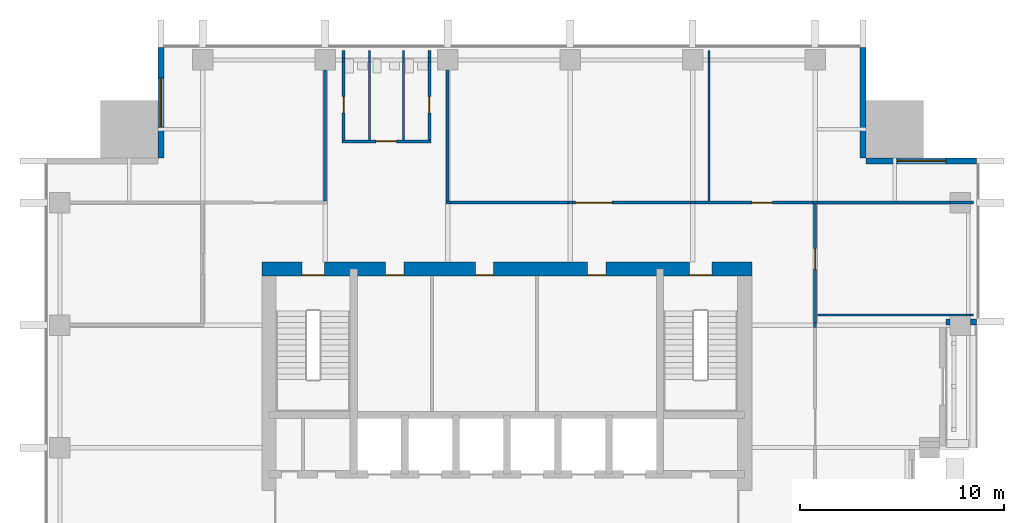
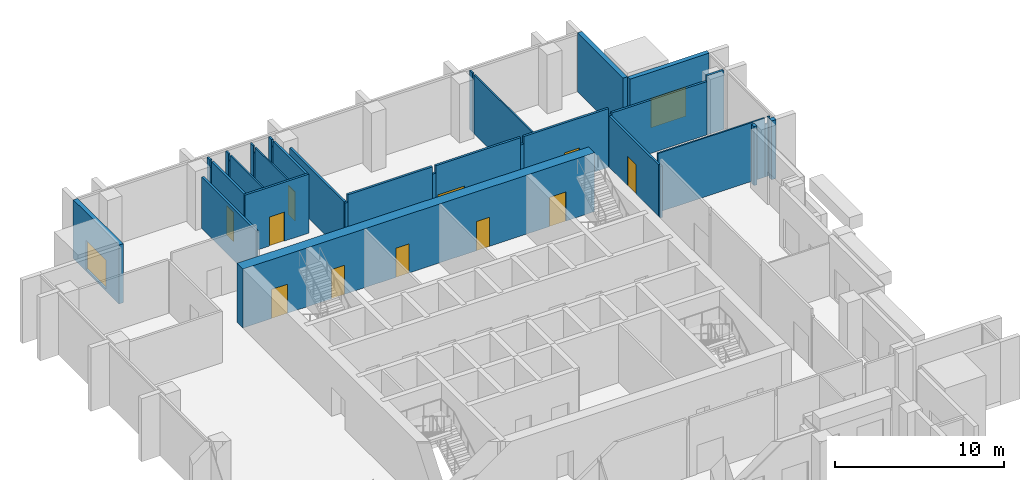
# One storey, part 7 of 11: 38 walls, 11 doors, 2 windows, 13 openings.
"""IFC4 building model written with IfcOpenShell, lengths in metres."""

from ifc_helpers import new_model, si_unit, direction, frame, frame_2d, origin, place, context, subcontext, project, spatial, rectangle, extrude, material, layer, layer_set, type_object, element, fill, save


model = new_model("IFC4")

# Units and contexts
model_context = context("Model", 3, precision=1e-05, world=origin(), true_north=direction((0.0, 1.0)))
body_context = subcontext(model_context, "Body", "Model", "MODEL_VIEW")
ifc_project = project(units=[si_unit("LENGTHUNIT", "METRE"), si_unit("AREAUNIT", "SQUARE_METRE"), si_unit("VOLUMEUNIT", "CUBIC_METRE"), si_unit("PLANEANGLEUNIT", "RADIAN"), si_unit("MASSUNIT", "GRAM", prefix="KILO")], contexts=[model_context])

# Site, building, storey
site_placement = place(None, origin())
site = spatial("IfcSite", under=ifc_project, at=site_placement, CompositionType="ELEMENT")
building_placement = place(site_placement, origin())
building = spatial("IfcBuilding", under=site, at=building_placement, Name="Amberfall Residences", CompositionType="ELEMENT")
storey_placement = place(building_placement, frame((0.0, 0.0, 150.39990234375)))
storey = spatial("IfcBuildingStorey", under=building, at=storey_placement, Name="L40", CompositionType="ELEMENT", Elevation=150.39990234375)

# Walls
ifc_material_1 = material(Name="Pale stone cladding on insulated backing", Category="masonry")
ifc_layer_1 = layer(ifc_material_1, 0.300048828125)
ifc_layer_set_1 = layer_set([ifc_layer_1], Name="Bronze clad wall 300")
wall_type_1 = type_object("IfcWallType", Name="Bronze clad wall 300", PredefinedType="SOLIDWALL", material=ifc_layer_set_1)
wall_1_placement = place(storey_placement, frame((96.0, 54.550048828125, 0.0), z_axis=(0.0, 0.0, 1.0), x_axis=(1.0, 0.0, 0.0)))
element("IfcWall", 1, at=wall_1_placement, inside=storey, type_object=wall_type_1, Name="External wall L40 E", PredefinedType="SOLIDWALL", context=body_context, shape_type="SweptSolid", body=[
    extrude(rectangle(XDim=0.199951171875, YDim=0.300048828125, at=frame_2d((0.10009765625, 0.0))), origin(), (0.0, 0.0, 1.0), 4.25),
])
wall_2_placement = place(storey_placement, frame((97.199951171875, 54.550048828125, 0.0), z_axis=(0.0, 0.0, 1.0), x_axis=(1.0, 0.0, 0.0)))
element("IfcWall", 2, at=wall_2_placement, inside=storey, type_object=wall_type_1, Name="External wall L40 E", PredefinedType="SOLIDWALL", context=body_context, shape_type="SweptSolid", body=[
    extrude(rectangle(XDim=0.300048828125, YDim=0.300048828125, at=frame_2d((0.14990234375, 0.0))), origin(), (0.0, 0.0, 1.0), 4.25),
])

# Wall, opening, window
wall_3_placement = place(storey_placement, frame((97.5, 62.449951171875, 0.0), z_axis=(0.0, 0.0, 1.0), x_axis=(-1.0, 0.0, 0.0)))
wall_3 = element("IfcWall", 3, at=wall_3_placement, inside=storey, type_object=wall_type_1, Name="External wall L40 NE", PredefinedType="SOLIDWALL", context=body_context, shape_type="SweptSolid", body=[
    extrude(rectangle(XDim=5.39990234375, YDim=0.300048828125, at=frame_2d((2.699951171875, 0.0))), origin(), (0.0, 0.0, 1.0), 4.25),
])
opening_1_placement = place(wall_3_placement, frame((1.5, 0.0, 0.14990234375)))
opening_1 = element("IfcOpeningElement", 4, at=opening_1_placement, cuts=wall_3, Name="Opening WN5", PredefinedType="OPENING", context=body_context, shape_type="SweptSolid", body=[
    extrude(rectangle(XDim=2.39990234375, YDim=2.10009765625, at=frame_2d((1.199951171875, 1.050048828125))), frame((0.0, 0.159912109375, 0.0), z_axis=(0.0, -1.0, 0.0), x_axis=(1.0, 0.0, 0.0)), (0.0, 0.0, 1.0), 0.320068359375),
])
ifc_material_2 = material(Name="Bronze aluminium framed glazing", Category="aluminium")
window_type = type_object("IfcWindowType", Name="Glazed opening 2400 x 2100 bronze", PartitioningType="DOUBLE_PANEL_VERTICAL", PredefinedType="WINDOW", material=ifc_material_2)
window_1_placement = place(opening_1_placement, origin())
window_1 = element("IfcWindow", 5, at=window_1_placement, inside=storey, type_object=window_type, Name="Window L40 NE", OverallHeight=2.10009765625, OverallWidth=2.39990234375, PartitioningType="DOUBLE_PANEL_VERTICAL", PredefinedType="WINDOW", context=body_context, shape_type="SweptSolid", body=[
    extrude(rectangle(XDim=2.39990234375, YDim=2.10009765625, at=frame_2d((1.199951171875, 1.050048828125))), frame((0.0, 0.030029296875, 0.0), z_axis=(0.0, -1.0, 0.0), x_axis=(1.0, 0.0, 0.0)), (0.0, 0.0, 1.0), 0.06005859375),
])
fill(opening_1, window_1)

# Wall
wall_4_placement = place(storey_placement, frame((91.949951171875, 62.60009765625, 0.0), z_axis=(0.0, 0.0, 1.0), x_axis=(0.0, 1.0, 0.0)))
element("IfcWall", 6, at=wall_4_placement, inside=storey, type_object=wall_type_1, Name="External wall L40 NE", PredefinedType="SOLIDWALL", context=body_context, shape_type="SweptSolid", body=[
    extrude(rectangle(XDim=5.39990234375, YDim=0.300048828125, at=frame_2d((2.699951171875, 0.0))), origin(), (0.0, 0.0, 1.0), 4.25),
])

# Wall, opening, window
wall_5_placement = place(storey_placement, frame((57.550048828125, 68.0, 0.0), z_axis=(0.0, 0.0, 1.0), x_axis=(0.0, -1.0, 0.0)))
wall_5 = element("IfcWall", 7, at=wall_5_placement, inside=storey, type_object=wall_type_1, Name="External wall L40 NW", PredefinedType="SOLIDWALL", context=body_context, shape_type="SweptSolid", body=[
    extrude(rectangle(XDim=5.39990234375, YDim=0.300048828125, at=frame_2d((2.699951171875, 0.0))), origin(), (0.0, 0.0, 1.0), 4.25),
])
opening_2_placement = place(wall_5_placement, frame((1.5, 0.0, 0.14990234375)))
opening_2 = element("IfcOpeningElement", 8, at=opening_2_placement, cuts=wall_5, Name="Opening WN5", PredefinedType="OPENING", context=body_context, shape_type="SweptSolid", body=[
    extrude(rectangle(XDim=2.39990234375, YDim=2.10009765625, at=frame_2d((1.199951171875, 1.050048828125))), frame((0.0, 0.159912109375, 0.0), z_axis=(0.0, -1.0, 0.0), x_axis=(1.0, 0.0, 0.0)), (0.0, 0.0, 1.0), 0.320068359375),
])
window_2_placement = place(opening_2_placement, origin())
window_2 = element("IfcWindow", 9, at=window_2_placement, inside=storey, type_object=window_type, Name="Window L40 NW", OverallHeight=2.10009765625, OverallWidth=2.39990234375, PartitioningType="DOUBLE_PANEL_VERTICAL", PredefinedType="WINDOW", context=body_context, shape_type="SweptSolid", body=[
    extrude(rectangle(XDim=2.39990234375, YDim=2.10009765625, at=frame_2d((1.199951171875, 1.050048828125))), frame((0.0, 0.030029296875, 0.0), z_axis=(0.0, -1.0, 0.0), x_axis=(1.0, 0.0, 0.0)), (0.0, 0.0, 1.0), 0.06005859375),
])
fill(opening_2, window_2)

# Wall, openings, doors
ifc_material_3 = material(Name="Concrete C60", Category="concrete")
ifc_layer_2 = layer(ifc_material_3, 0.699951171875)
ifc_layer_set_2 = layer_set([ifc_layer_2], Name="Core wall 700 C60")
wall_type_2 = type_object("IfcWallType", Name="Core wall 700 C60", PredefinedType="SHEAR", material=ifc_layer_set_2)
wall_6_placement = place(storey_placement, frame((62.5, 57.14990234375, 0.0), z_axis=(0.0, 0.0, 1.0), x_axis=(1.0, 0.0, 0.0)))
wall_6 = element("IfcWall", 10, at=wall_6_placement, inside=storey, type_object=wall_type_2, Name="Core wall RW5 L40 ON", PredefinedType="SHEAR", context=body_context, shape_type="SweptSolid", body=[
    extrude(rectangle(XDim=24.0, YDim=0.699951171875, at=frame_2d((12.0, 0.0))), origin(), (0.0, 0.0, 1.0), 4.25),
])
opening_3_placement = place(wall_6_placement, frame((20.9375, 0.0, 0.0)))
opening_3 = element("IfcOpeningElement", 11, at=opening_3_placement, cuts=wall_6, Name="Opening SD1", PredefinedType="OPENING", context=body_context, shape_type="SweptSolid", body=[
    extrude(rectangle(XDim=1.10009765625, YDim=2.10009765625, at=frame_2d((0.550048828125, 1.050048828125))), frame((0.0, 0.35986328125, 0.0), z_axis=(0.0, -1.0, 0.0), x_axis=(1.0, 0.0, 0.0)), (0.0, 0.0, 1.0), 0.719970703125),
])
opening_4_placement = place(wall_6_placement, frame((1.96240234375, 0.0, 0.0)))
opening_4 = element("IfcOpeningElement", 12, at=opening_4_placement, cuts=wall_6, Name="Opening SD1", PredefinedType="OPENING", context=body_context, shape_type="SweptSolid", body=[
    extrude(rectangle(XDim=1.10009765625, YDim=2.10009765625, at=frame_2d((0.550048828125, 1.050048828125))), frame((0.0, 0.35986328125, 0.0), z_axis=(0.0, -1.0, 0.0), x_axis=(1.0, 0.0, 0.0)), (0.0, 0.0, 1.0), 0.719970703125),
])
opening_5_placement = place(wall_6_placement, frame((6.05615234375, 0.0, 0.0)))
opening_5 = element("IfcOpeningElement", 13, at=opening_5_placement, cuts=wall_6, Name="Opening RD1", PredefinedType="OPENING", context=body_context, shape_type="SweptSolid", body=[
    extrude(rectangle(XDim=0.89990234375, YDim=2.10009765625, at=frame_2d((0.449951171875, 1.050048828125))), frame((0.0, 0.35986328125, 0.0), z_axis=(0.0, -1.0, 0.0), x_axis=(1.0, 0.0, 0.0)), (0.0, 0.0, 1.0), 0.719970703125),
])
opening_6_placement = place(wall_6_placement, frame((10.451416015625, 0.0, 0.0)))
opening_6 = element("IfcOpeningElement", 14, at=opening_6_placement, cuts=wall_6, Name="Opening RD1", PredefinedType="OPENING", context=body_context, shape_type="SweptSolid", body=[
    extrude(rectangle(XDim=0.89990234375, YDim=2.10009765625, at=frame_2d((0.449951171875, 1.050048828125))), frame((0.0, 0.35986328125, 0.0), z_axis=(0.0, -1.0, 0.0), x_axis=(1.0, 0.0, 0.0)), (0.0, 0.0, 1.0), 0.719970703125),
])
opening_7_placement = place(wall_6_placement, frame((15.945068359375, 0.0, 0.0)))
opening_7 = element("IfcOpeningElement", 15, at=opening_7_placement, cuts=wall_6, Name="Opening RD1", PredefinedType="OPENING", context=body_context, shape_type="SweptSolid", body=[
    extrude(rectangle(XDim=0.89990234375, YDim=2.10009765625, at=frame_2d((0.449951171875, 1.050048828125))), frame((0.0, 0.35986328125, 0.0), z_axis=(0.0, -1.0, 0.0), x_axis=(1.0, 0.0, 0.0)), (0.0, 0.0, 1.0), 0.719970703125),
])
ifc_material_4 = material(Name="Steel fire door set", Category="steel")
door_type_1 = type_object("IfcDoorType", Name="Service room door 900 x 2100", OperationType="SINGLE_SWING_LEFT", PredefinedType="DOOR", material=ifc_material_4)
door_1_placement = place(opening_5_placement, origin())
door_1 = element("IfcDoor", 16, at=door_1_placement, inside=storey, type_object=door_type_1, Name="RD1 L40", OperationType="SINGLE_SWING_RIGHT", OverallHeight=2.10009765625, OverallWidth=0.89990234375, PredefinedType="DOOR", context=body_context, shape_type="SweptSolid", body=[
    extrude(rectangle(XDim=0.89990234375, YDim=2.10009765625, at=frame_2d((0.449951171875, 1.050048828125))), frame((0.0, -0.28759765625, 0.0), z_axis=(0.0, -1.0, 0.0), x_axis=(1.0, 0.0, 0.0)), (0.0, 0.0, 1.0), 0.050048828125),
])
fill(opening_5, door_1)
door_2_placement = place(opening_6_placement, origin())
door_2 = element("IfcDoor", 17, at=door_2_placement, inside=storey, type_object=door_type_1, Name="RD1 L40", OperationType="SINGLE_SWING_RIGHT", OverallHeight=2.10009765625, OverallWidth=0.89990234375, PredefinedType="DOOR", context=body_context, shape_type="SweptSolid", body=[
    extrude(rectangle(XDim=0.89990234375, YDim=2.10009765625, at=frame_2d((0.449951171875, 1.050048828125))), frame((0.0, -0.28759765625, 0.0), z_axis=(0.0, -1.0, 0.0), x_axis=(1.0, 0.0, 0.0)), (0.0, 0.0, 1.0), 0.050048828125),
])
fill(opening_6, door_2)
door_3_placement = place(opening_7_placement, origin())
door_3 = element("IfcDoor", 18, at=door_3_placement, inside=storey, type_object=door_type_1, Name="RD1 L40", OperationType="SINGLE_SWING_RIGHT", OverallHeight=2.10009765625, OverallWidth=0.89990234375, PredefinedType="DOOR", context=body_context, shape_type="SweptSolid", body=[
    extrude(rectangle(XDim=0.89990234375, YDim=2.10009765625, at=frame_2d((0.449951171875, 1.050048828125))), frame((0.0, -0.28759765625, 0.0), z_axis=(0.0, -1.0, 0.0), x_axis=(1.0, 0.0, 0.0)), (0.0, 0.0, 1.0), 0.050048828125),
])
fill(opening_7, door_3)
door_type_2 = type_object("IfcDoorType", Name="Stair door 1100 x 2100", OperationType="SINGLE_SWING_LEFT", PredefinedType="DOOR", material=ifc_material_4)
door_4_placement = place(opening_3_placement, origin())
door_4 = element("IfcDoor", 19, at=door_4_placement, inside=storey, type_object=door_type_2, Name="SD1 L40", OperationType="SINGLE_SWING_RIGHT", OverallHeight=2.10009765625, OverallWidth=1.10009765625, PredefinedType="DOOR", context=body_context, shape_type="SweptSolid", body=[
    extrude(rectangle(XDim=1.10009765625, YDim=2.10009765625, at=frame_2d((0.550048828125, 1.050048828125))), frame((0.0, -0.28759765625, 0.0), z_axis=(0.0, -1.0, 0.0), x_axis=(1.0, 0.0, 0.0)), (0.0, 0.0, 1.0), 0.050048828125),
])
fill(opening_3, door_4)
door_5_placement = place(opening_4_placement, origin())
door_5 = element("IfcDoor", 20, at=door_5_placement, inside=storey, type_object=door_type_2, Name="SD1 L40", OperationType="SINGLE_SWING_LEFT", OverallHeight=2.10009765625, OverallWidth=1.10009765625, PredefinedType="DOOR", context=body_context, shape_type="SweptSolid", body=[
    extrude(rectangle(XDim=1.10009765625, YDim=2.10009765625, at=frame_2d((0.550048828125, 1.050048828125))), frame((0.0, -0.28759765625, 0.0), z_axis=(0.0, -1.0, 0.0), x_axis=(1.0, 0.0, 0.0)), (0.0, 0.0, 1.0), 0.050048828125),
])
fill(opening_4, door_5)

# Walls
ifc_material_5 = material(Name="Gypsum board on steel studs", Category="steel")
ifc_layer_3 = layer(ifc_material_5, 0.10009765625)
ifc_layer_set_3 = layer_set([ifc_layer_3], Name="Partition 100")
wall_type_3 = type_object("IfcWallType", Name="Partition 100", PredefinedType="PARTITIONING", material=ifc_layer_set_3)
wall_7_placement = place(storey_placement, frame((89.705322265625, 54.89990234375, 0.0), z_axis=(0.0, 0.0, 1.0), x_axis=(1.0, 0.0, 0.0)))
element("IfcWall", 21, at=wall_7_placement, inside=storey, type_object=wall_type_3, Name="Partition 100 L40 002", PredefinedType="PARTITIONING", context=body_context, shape_type="SweptSolid", body=[
    extrude(rectangle(XDim=7.299560546875, YDim=0.10009765625, at=frame_2d((3.64990234375, 0.0))), origin(), (0.0, 0.0, 1.0), 4.25),
])
wall_8_placement = place(storey_placement, frame((97.0048828125, 54.89990234375, 0.0), z_axis=(0.0, 0.0, 1.0), x_axis=(1.0, 0.0, 0.0)))
element("IfcWall", 22, at=wall_8_placement, inside=storey, type_object=wall_type_3, Name="Partition 100 L40 003", PredefinedType="PARTITIONING", context=body_context, shape_type="SweptSolid", body=[
    extrude(rectangle(XDim=0.18994140625, YDim=0.10009765625, at=frame_2d((0.094970703125, 0.0))), origin(), (0.0, 0.0, 1.0), 3.797119140625),
])
wall_9_placement = place(storey_placement, frame((97.19482421875, 54.89990234375, 0.0), z_axis=(0.0, 0.0, 1.0), x_axis=(1.0, 0.0, 0.0)))
element("IfcWall", 23, at=wall_9_placement, inside=storey, type_object=wall_type_3, Name="Partition 100 L40 004", PredefinedType="PARTITIONING", context=body_context, shape_type="SweptSolid", body=[
    extrude(rectangle(XDim=0.1552734375, YDim=0.10009765625, at=frame_2d((0.07763671875, 0.0))), origin(), (0.0, 0.0, 1.0), 4.25),
])
wall_10_placement = place(storey_placement, frame((67.760009765625, 63.47509765625, 0.0), z_axis=(0.0, 0.0, 1.0), x_axis=(0.0, 1.0, 0.0)))
element("IfcWall", 24, at=wall_10_placement, inside=storey, type_object=wall_type_3, Name="Partition 100 L40 005", PredefinedType="PARTITIONING", context=body_context, shape_type="SweptSolid", body=[
    extrude(rectangle(XDim=3.830078125, YDim=0.10009765625, at=frame_2d((1.9150390625, 0.0))), origin(), (0.0, 0.0, 1.0), 4.25),
])
wall_11_placement = place(storey_placement, frame((67.760009765625, 67.30517578125, 0.0), z_axis=(0.0, 0.0, 1.0), x_axis=(0.0, 1.0, 0.0)))
element("IfcWall", 25, at=wall_11_placement, inside=storey, type_object=wall_type_3, Name="Partition 100 L40 006", PredefinedType="PARTITIONING", context=body_context, shape_type="SweptSolid", body=[
    extrude(rectangle(XDim=0.18994140625, YDim=0.10009765625, at=frame_2d((0.094970703125, 0.0))), origin(), (0.0, 0.0, 1.0), 3.797119140625),
])
wall_12_placement = place(storey_placement, frame((67.760009765625, 67.4951171875, 0.0), z_axis=(0.0, 0.0, 1.0), x_axis=(0.0, 1.0, 0.0)))
element("IfcWall", 26, at=wall_12_placement, inside=storey, type_object=wall_type_3, Name="Partition 100 L40 007", PredefinedType="PARTITIONING", context=body_context, shape_type="SweptSolid", body=[
    extrude(rectangle(XDim=0.35498046875, YDim=0.10009765625, at=frame_2d((0.177490234375, 0.0))), origin(), (0.0, 0.0, 1.0), 4.25),
])
wall_13_placement = place(storey_placement, frame((69.43994140625, 63.47509765625, 0.0), z_axis=(0.0, 0.0, 1.0), x_axis=(0.0, 1.0, 0.0)))
element("IfcWall", 27, at=wall_13_placement, inside=storey, type_object=wall_type_3, Name="Partition 100 L40 008", PredefinedType="PARTITIONING", context=body_context, shape_type="SweptSolid", body=[
    extrude(rectangle(XDim=3.830078125, YDim=0.10009765625, at=frame_2d((1.9150390625, 0.0))), origin(), (0.0, 0.0, 1.0), 4.25),
])
wall_14_placement = place(storey_placement, frame((69.43994140625, 67.30517578125, 0.0), z_axis=(0.0, 0.0, 1.0), x_axis=(0.0, 1.0, 0.0)))
element("IfcWall", 28, at=wall_14_placement, inside=storey, type_object=wall_type_3, Name="Partition 100 L40 009", PredefinedType="PARTITIONING", context=body_context, shape_type="SweptSolid", body=[
    extrude(rectangle(XDim=0.18994140625, YDim=0.10009765625, at=frame_2d((0.094970703125, 0.0))), origin(), (0.0, 0.0, 1.0), 3.797119140625),
])
wall_15_placement = place(storey_placement, frame((69.43994140625, 67.4951171875, 0.0), z_axis=(0.0, 0.0, 1.0), x_axis=(0.0, 1.0, 0.0)))
element("IfcWall", 29, at=wall_15_placement, inside=storey, type_object=wall_type_3, Name="Partition 100 L40 010", PredefinedType="PARTITIONING", context=body_context, shape_type="SweptSolid", body=[
    extrude(rectangle(XDim=0.35498046875, YDim=0.10009765625, at=frame_2d((0.177490234375, 0.0))), origin(), (0.0, 0.0, 1.0), 4.25),
])
wall_16_placement = place(storey_placement, frame((84.39990234375, 60.47509765625, 0.0), z_axis=(0.0, 0.0, 1.0), x_axis=(0.0, 1.0, 0.0)))
element("IfcWall", 30, at=wall_16_placement, inside=storey, type_object=wall_type_3, Name="Partition 100 L40 013", PredefinedType="PARTITIONING", context=body_context, shape_type="SweptSolid", body=[
    extrude(rectangle(XDim=6.830078125, YDim=0.10009765625, at=frame_2d((3.4150390625, 0.0))), origin(), (0.0, 0.0, 1.0), 4.25),
])
wall_17_placement = place(storey_placement, frame((84.39990234375, 67.30517578125, 0.0), z_axis=(0.0, 0.0, 1.0), x_axis=(0.0, 1.0, 0.0)))
element("IfcWall", 31, at=wall_17_placement, inside=storey, type_object=wall_type_3, Name="Partition 100 L40 014", PredefinedType="PARTITIONING", context=body_context, shape_type="SweptSolid", body=[
    extrude(rectangle(XDim=0.18994140625, YDim=0.10009765625, at=frame_2d((0.094970703125, 0.0))), origin(), (0.0, 0.0, 1.0), 3.797119140625),
])
wall_18_placement = place(storey_placement, frame((84.39990234375, 67.4951171875, 0.0), z_axis=(0.0, 0.0, 1.0), x_axis=(0.0, 1.0, 0.0)))
element("IfcWall", 32, at=wall_18_placement, inside=storey, type_object=wall_type_3, Name="Partition 100 L40 015", PredefinedType="PARTITIONING", context=body_context, shape_type="SweptSolid", body=[
    extrude(rectangle(XDim=0.35498046875, YDim=0.10009765625, at=frame_2d((0.177490234375, 0.0))), origin(), (0.0, 0.0, 1.0), 4.25),
])
ifc_material_6 = material(Name="Fire-rated gypsum board on steel studs", Category="steel")
ifc_layer_4 = layer(ifc_material_6, 0.14990234375)
ifc_layer_set_4 = layer_set([ifc_layer_4], Name="Partition 150 fire-rated")
wall_type_4 = type_object("IfcWallType", Name="Partition 150 fire-rated", PredefinedType="PARTITIONING", material=ifc_layer_set_4)
wall_19_placement = place(storey_placement, frame((71.52490234375, 60.39990234375, 0.0), z_axis=(0.0, 0.0, 1.0), x_axis=(1.0, 0.0, 0.0)))
element("IfcWall", 33, at=wall_19_placement, inside=storey, type_object=wall_type_4, Name="Partition 150 fire-rated L40 021", PredefinedType="PARTITIONING", context=body_context, shape_type="SweptSolid", body=[
    extrude(rectangle(XDim=0.1796875, YDim=0.14990234375, at=frame_2d((0.08984375, 0.0))), origin(), (0.0, 0.0, 1.0), 3.717041015625),
])
wall_20_placement = place(storey_placement, frame((71.70458984375, 60.39990234375, 0.0), z_axis=(0.0, 0.0, 1.0), x_axis=(1.0, 0.0, 0.0)))
element("IfcWall", 34, at=wall_20_placement, inside=storey, type_object=wall_type_4, Name="Partition 150 fire-rated L40 022", PredefinedType="PARTITIONING", context=body_context, shape_type="SweptSolid", body=[
    extrude(rectangle(XDim=5.790771484375, YDim=0.14990234375, at=frame_2d((2.8955078125, 0.0))), origin(), (0.0, 0.0, 1.0), 4.25),
])
wall_21_placement = place(storey_placement, frame((77.495361328125, 60.39990234375, 0.0), z_axis=(0.0, 0.0, 1.0), x_axis=(1.0, 0.0, 0.0)))
element("IfcWall", 35, at=wall_21_placement, inside=storey, type_object=wall_type_4, Name="Partition 150 fire-rated L40 023", PredefinedType="PARTITIONING", context=body_context, shape_type="SweptSolid", body=[
    extrude(rectangle(XDim=0.209228515625, YDim=0.14990234375, at=frame_2d((0.1044921875, 0.0))), origin(), (0.0, 0.0, 1.0), 3.717041015625),
])

# Wall, opening, door
wall_22_placement = place(storey_placement, frame((77.70458984375, 60.39990234375, 0.0), z_axis=(0.0, 0.0, 1.0), x_axis=(1.0, 0.0, 0.0)))
wall_22 = element("IfcWall", 36, at=wall_22_placement, inside=storey, type_object=wall_type_4, Name="Partition 150 fire-rated L40 024", PredefinedType="PARTITIONING", context=body_context, shape_type="SweptSolid", body=[
    extrude(rectangle(XDim=5.790771484375, YDim=0.14990234375, at=frame_2d((2.8955078125, 0.0))), origin(), (0.0, 0.0, 1.0), 4.25),
])
opening_8_placement = place(wall_22_placement, frame((0.145263671875, 0.0, 0.0)))
opening_8 = element("IfcOpeningElement", 37, at=opening_8_placement, cuts=wall_22, Name="Opening D5", PredefinedType="OPENING", context=body_context, shape_type="SweptSolid", body=[
    extrude(rectangle(XDim=1.800048828125, YDim=2.10009765625, at=frame_2d((0.89990234375, 1.050048828125))), frame((0.0, 0.0849609375, 0.0), z_axis=(0.0, -1.0, 0.0), x_axis=(1.0, 0.0, 0.0)), (0.0, 0.0, 1.0), 0.169921875),
])
ifc_material_7 = material(Name="Timber veneer door leaf", Category="wood")
door_type_3 = type_object("IfcDoorType", Name="Double door 1800x2100", OperationType="DOUBLE_DOOR_SINGLE_SWING", PredefinedType="DOOR", material=ifc_material_7)
door_6_placement = place(opening_8_placement, origin())
door_6 = element("IfcDoor", 38, at=door_6_placement, inside=storey, type_object=door_type_3, Name="Door Event room", OperationType="DOUBLE_DOOR_SINGLE_SWING", OverallHeight=2.10009765625, OverallWidth=1.800048828125, PredefinedType="DOOR", context=body_context, shape_type="SweptSolid", body=[
    extrude(rectangle(XDim=1.800048828125, YDim=2.10009765625, at=frame_2d((0.89990234375, 1.050048828125))), frame((0.0, 0.02490234375, 0.0), z_axis=(0.0, -1.0, 0.0), x_axis=(1.0, 0.0, 0.0)), (0.0, 0.0, 1.0), 0.050048828125),
])
fill(opening_8, door_6)

# Wall
wall_23_placement = place(storey_placement, frame((83.495361328125, 60.39990234375, 0.0), z_axis=(0.0, 0.0, 1.0), x_axis=(1.0, 0.0, 0.0)))
element("IfcWall", 39, at=wall_23_placement, inside=storey, type_object=wall_type_4, Name="Partition 150 fire-rated L40 025", PredefinedType="PARTITIONING", context=body_context, shape_type="SweptSolid", body=[
    extrude(rectangle(XDim=0.209228515625, YDim=0.14990234375, at=frame_2d((0.1044921875, 0.0))), origin(), (0.0, 0.0, 1.0), 3.717041015625),
])

# Wall, opening, door
wall_24_placement = place(storey_placement, frame((83.70458984375, 60.39990234375, 0.0), z_axis=(0.0, 0.0, 1.0), x_axis=(1.0, 0.0, 0.0)))
wall_24 = element("IfcWall", 40, at=wall_24_placement, inside=storey, type_object=wall_type_4, Name="Partition 150 fire-rated L40 026", PredefinedType="PARTITIONING", context=body_context, shape_type="SweptSolid", body=[
    extrude(rectangle(XDim=5.7900390625, YDim=0.14990234375, at=frame_2d((2.89501953125, 0.0))), origin(), (0.0, 0.0, 1.0), 4.25),
])
opening_9_placement = place(wall_24_placement, frame((2.79541015625, 0.0, 0.0)))
opening_9 = element("IfcOpeningElement", 41, at=opening_9_placement, cuts=wall_24, Name="Opening D2", PredefinedType="OPENING", context=body_context, shape_type="SweptSolid", body=[
    extrude(rectangle(XDim=1.0, YDim=2.10009765625, at=frame_2d((0.5, 1.050048828125))), frame((0.0, 0.0849609375, 0.0), z_axis=(0.0, -1.0, 0.0), x_axis=(1.0, 0.0, 0.0)), (0.0, 0.0, 1.0), 0.169921875),
])
ifc_material_8 = material(Name="Steel fire door leaf", Category="steel")
door_type_4 = type_object("IfcDoorType", Name="Fire door 1000x2100 FD30S", OperationType="SINGLE_SWING_LEFT", PredefinedType="DOOR", material=ifc_material_8)
door_7_placement = place(opening_9_placement, origin())
door_7 = element("IfcDoor", 42, at=door_7_placement, inside=storey, type_object=door_type_4, Name="Door Catering store", OperationType="SINGLE_SWING_LEFT", OverallHeight=2.10009765625, OverallWidth=1.0, PredefinedType="DOOR", context=body_context, shape_type="SweptSolid", body=[
    extrude(rectangle(XDim=1.0, YDim=2.10009765625, at=frame_2d((0.5, 1.050048828125))), frame((0.0, 0.02490234375, 0.0), z_axis=(0.0, -1.0, 0.0), x_axis=(1.0, 0.0, 0.0)), (0.0, 0.0, 1.0), 0.050048828125),
])
fill(opening_9, door_7)

# Walls
wall_25_placement = place(storey_placement, frame((89.49462890625, 60.39990234375, 0.0), z_axis=(0.0, 0.0, 1.0), x_axis=(1.0, 0.0, 0.0)))
element("IfcWall", 43, at=wall_25_placement, inside=storey, type_object=wall_type_4, Name="Partition 150 fire-rated L40 027", PredefinedType="PARTITIONING", context=body_context, shape_type="SweptSolid", body=[
    extrude(rectangle(XDim=0.210693359375, YDim=0.14990234375, at=frame_2d((0.10546875, 0.0))), origin(), (0.0, 0.0, 1.0), 3.711181640625),
])
wall_26_placement = place(storey_placement, frame((89.719970703125, 60.39990234375, 0.0), z_axis=(0.0, 0.0, 1.0), x_axis=(1.0, 0.0, 0.0)))
element("IfcWall", 44, at=wall_26_placement, inside=storey, type_object=wall_type_4, Name="Partition 150 fire-rated L40 028", PredefinedType="PARTITIONING", context=body_context, shape_type="SweptSolid", body=[
    extrude(rectangle(XDim=6.47998046875, YDim=0.14990234375, at=frame_2d((3.239990234375, 0.0))), origin(), (0.0, 0.0, 1.0), 3.84716796875),
])
wall_27_placement = place(storey_placement, frame((96.199951171875, 60.39990234375, 0.0), z_axis=(0.0, 0.0, 1.0), x_axis=(1.0, 0.0, 0.0)))
element("IfcWall", 45, at=wall_27_placement, inside=storey, type_object=wall_type_4, Name="Partition 150 fire-rated L40 029", PredefinedType="PARTITIONING", context=body_context, shape_type="SweptSolid", body=[
    extrude(rectangle(XDim=1.150146484375, YDim=0.14990234375, at=frame_2d((0.5751953125, 0.0))), origin(), (0.0, 0.0, 1.0), 4.25),
])

# Wall, opening, door
wall_28_placement = place(storey_placement, frame((66.425048828125, 63.39990234375, 0.0), z_axis=(0.0, 0.0, 1.0), x_axis=(1.0, 0.0, 0.0)))
wall_28 = element("IfcWall", 46, at=wall_28_placement, inside=storey, type_object=wall_type_4, Name="Partition 150 fire-rated L40 030", PredefinedType="PARTITIONING", context=body_context, shape_type="SweptSolid", body=[
    extrude(rectangle(XDim=4.349853515625, YDim=0.14990234375, at=frame_2d((2.1748046875, 0.0))), origin(), (0.0, 0.0, 1.0), 4.25),
])
opening_10_placement = place(wall_28_placement, frame((1.675048828125, 0.0, 0.0)))
opening_10 = element("IfcOpeningElement", 47, at=opening_10_placement, cuts=wall_28, Name="Opening D4", PredefinedType="OPENING", context=body_context, shape_type="SweptSolid", body=[
    extrude(rectangle(XDim=1.0, YDim=2.10009765625, at=frame_2d((0.5, 1.050048828125))), frame((0.0, 0.0849609375, 0.0), z_axis=(0.0, -1.0, 0.0), x_axis=(1.0, 0.0, 0.0)), (0.0, 0.0, 1.0), 0.169921875),
])
door_type_5 = type_object("IfcDoorType", Name="Accessible door 1000x2100", OperationType="SINGLE_SWING_LEFT", PredefinedType="DOOR", material=ifc_material_7)
door_8_placement = place(opening_10_placement, origin())
door_8 = element("IfcDoor", 48, at=door_8_placement, inside=storey, type_object=door_type_5, Name="Door Accessible WC L40", OperationType="SINGLE_SWING_LEFT", OverallHeight=2.10009765625, OverallWidth=1.0, PredefinedType="DOOR", context=body_context, shape_type="SweptSolid", body=[
    extrude(rectangle(XDim=1.0, YDim=2.10009765625, at=frame_2d((0.5, 1.050048828125))), frame((0.0, 0.02490234375, 0.0), z_axis=(0.0, -1.0, 0.0), x_axis=(1.0, 0.0, 0.0)), (0.0, 0.0, 1.0), 0.050048828125),
])
fill(opening_10, door_8)

# Wall
wall_29_placement = place(storey_placement, frame((65.60009765625, 60.47509765625, 0.0), z_axis=(0.0, 0.0, 1.0), x_axis=(0.0, 1.0, 0.0)))
element("IfcWall", 49, at=wall_29_placement, inside=storey, type_object=wall_type_4, Name="Partition 150 fire-rated L40 033", PredefinedType="PARTITIONING", context=body_context, shape_type="SweptSolid", body=[
    extrude(rectangle(XDim=6.4248046875, YDim=0.14990234375, at=frame_2d((3.21240234375, 0.0))), origin(), (0.0, 0.0, 1.0), 3.717041015625),
])

# Wall, opening, door
wall_30_placement = place(storey_placement, frame((66.5, 63.47509765625, 0.0), z_axis=(0.0, 0.0, 1.0), x_axis=(0.0, 1.0, 0.0)))
wall_30 = element("IfcWall", 50, at=wall_30_placement, inside=storey, type_object=wall_type_4, Name="Partition 150 fire-rated L40 034", PredefinedType="PARTITIONING", context=body_context, shape_type="SweptSolid", body=[
    extrude(rectangle(XDim=3.830078125, YDim=0.14990234375, at=frame_2d((1.9150390625, 0.0))), origin(), (0.0, 0.0, 1.0), 4.25),
])
opening_11_placement = place(wall_30_placement, frame((1.324951171875, 0.0, 0.0)))
opening_11 = element("IfcOpeningElement", 51, at=opening_11_placement, cuts=wall_30, Name="Opening D3", PredefinedType="OPENING", context=body_context, shape_type="SweptSolid", body=[
    extrude(rectangle(XDim=0.800048828125, YDim=2.10009765625, at=frame_2d((0.39990234375, 1.050048828125))), frame((0.0, 0.0849609375, 0.0), z_axis=(0.0, -1.0, 0.0), x_axis=(1.0, 0.0, 0.0)), (0.0, 0.0, 1.0), 0.169921875),
])
door_type_6 = type_object("IfcDoorType", Name="Toilet door 800x2100", OperationType="SINGLE_SWING_LEFT", PredefinedType="DOOR", material=ifc_material_7)
door_9_placement = place(opening_11_placement, origin())
door_9 = element("IfcDoor", 52, at=door_9_placement, inside=storey, type_object=door_type_6, Name="Door Gents WC L40", OperationType="SINGLE_SWING_LEFT", OverallHeight=2.10009765625, OverallWidth=0.800048828125, PredefinedType="DOOR", context=body_context, shape_type="SweptSolid", body=[
    extrude(rectangle(XDim=0.800048828125, YDim=2.10009765625, at=frame_2d((0.39990234375, 1.050048828125))), frame((0.0, 0.02490234375, 0.0), z_axis=(0.0, -1.0, 0.0), x_axis=(1.0, 0.0, 0.0)), (0.0, 0.0, 1.0), 0.050048828125),
])
fill(opening_11, door_9)

# Walls
wall_31_placement = place(storey_placement, frame((66.5, 67.30517578125, 0.0), z_axis=(0.0, 0.0, 1.0), x_axis=(0.0, 1.0, 0.0)))
element("IfcWall", 53, at=wall_31_placement, inside=storey, type_object=wall_type_4, Name="Partition 150 fire-rated L40 035", PredefinedType="PARTITIONING", context=body_context, shape_type="SweptSolid", body=[
    extrude(rectangle(XDim=0.18994140625, YDim=0.14990234375, at=frame_2d((0.094970703125, 0.0))), origin(), (0.0, 0.0, 1.0), 3.797119140625),
])
wall_32_placement = place(storey_placement, frame((66.5, 67.4951171875, 0.0), z_axis=(0.0, 0.0, 1.0), x_axis=(0.0, 1.0, 0.0)))
element("IfcWall", 54, at=wall_32_placement, inside=storey, type_object=wall_type_4, Name="Partition 150 fire-rated L40 036", PredefinedType="PARTITIONING", context=body_context, shape_type="SweptSolid", body=[
    extrude(rectangle(XDim=0.35498046875, YDim=0.14990234375, at=frame_2d((0.177490234375, 0.0))), origin(), (0.0, 0.0, 1.0), 4.25),
])

# Wall, opening, door
wall_33_placement = place(storey_placement, frame((70.699951171875, 63.47509765625, 0.0), z_axis=(0.0, 0.0, 1.0), x_axis=(0.0, 1.0, 0.0)))
wall_33 = element("IfcWall", 55, at=wall_33_placement, inside=storey, type_object=wall_type_4, Name="Partition 150 fire-rated L40 037", PredefinedType="PARTITIONING", context=body_context, shape_type="SweptSolid", body=[
    extrude(rectangle(XDim=3.830078125, YDim=0.14990234375, at=frame_2d((1.9150390625, 0.0))), origin(), (0.0, 0.0, 1.0), 4.25),
])
opening_12_placement = place(wall_33_placement, frame((1.324951171875, 0.0, 0.0)))
opening_12 = element("IfcOpeningElement", 56, at=opening_12_placement, cuts=wall_33, Name="Opening D3", PredefinedType="OPENING", context=body_context, shape_type="SweptSolid", body=[
    extrude(rectangle(XDim=0.800048828125, YDim=2.10009765625, at=frame_2d((0.39990234375, 1.050048828125))), frame((0.0, 0.0849609375, 0.0), z_axis=(0.0, -1.0, 0.0), x_axis=(1.0, 0.0, 0.0)), (0.0, 0.0, 1.0), 0.169921875),
])
door_10_placement = place(opening_12_placement, origin())
door_10 = element("IfcDoor", 57, at=door_10_placement, inside=storey, type_object=door_type_6, Name="Door Ladies WC L40", OperationType="SINGLE_SWING_LEFT", OverallHeight=2.10009765625, OverallWidth=0.800048828125, PredefinedType="DOOR", context=body_context, shape_type="SweptSolid", body=[
    extrude(rectangle(XDim=0.800048828125, YDim=2.10009765625, at=frame_2d((0.39990234375, 1.050048828125))), frame((0.0, 0.02490234375, 0.0), z_axis=(0.0, -1.0, 0.0), x_axis=(1.0, 0.0, 0.0)), (0.0, 0.0, 1.0), 0.050048828125),
])
fill(opening_12, door_10)

# Walls
wall_34_placement = place(storey_placement, frame((70.699951171875, 67.30517578125, 0.0), z_axis=(0.0, 0.0, 1.0), x_axis=(0.0, 1.0, 0.0)))
element("IfcWall", 58, at=wall_34_placement, inside=storey, type_object=wall_type_4, Name="Partition 150 fire-rated L40 038", PredefinedType="PARTITIONING", context=body_context, shape_type="SweptSolid", body=[
    extrude(rectangle(XDim=0.18994140625, YDim=0.14990234375, at=frame_2d((0.094970703125, 0.0))), origin(), (0.0, 0.0, 1.0), 3.797119140625),
])
wall_35_placement = place(storey_placement, frame((70.699951171875, 67.4951171875, 0.0), z_axis=(0.0, 0.0, 1.0), x_axis=(0.0, 1.0, 0.0)))
element("IfcWall", 59, at=wall_35_placement, inside=storey, type_object=wall_type_4, Name="Partition 150 fire-rated L40 039", PredefinedType="PARTITIONING", context=body_context, shape_type="SweptSolid", body=[
    extrude(rectangle(XDim=0.35498046875, YDim=0.14990234375, at=frame_2d((0.177490234375, 0.0))), origin(), (0.0, 0.0, 1.0), 4.25),
])
wall_36_placement = place(storey_placement, frame((71.60009765625, 60.47509765625, 0.0), z_axis=(0.0, 0.0, 1.0), x_axis=(0.0, 1.0, 0.0)))
element("IfcWall", 60, at=wall_36_placement, inside=storey, type_object=wall_type_4, Name="Partition 150 fire-rated L40 040", PredefinedType="PARTITIONING", context=body_context, shape_type="SweptSolid", body=[
    extrude(rectangle(XDim=6.4248046875, YDim=0.14990234375, at=frame_2d((3.21240234375, 0.0))), origin(), (0.0, 0.0, 1.0), 3.717041015625),
])
wall_37_placement = place(storey_placement, frame((89.60009765625, 54.29541015625, 0.0), z_axis=(0.0, 0.0, 1.0), x_axis=(0.0, 1.0, 0.0)))
element("IfcWall", 61, at=wall_37_placement, inside=storey, type_object=wall_type_4, Name="Partition 150 fire-rated L40 048", PredefinedType="PARTITIONING", context=body_context, shape_type="SweptSolid", body=[
    extrude(rectangle(XDim=0.2041015625, YDim=0.14990234375, at=frame_2d((0.10205078125, 0.0))), origin(), (0.0, 0.0, 1.0), 3.717041015625),
])

# Wall, opening, door
wall_38_placement = place(storey_placement, frame((89.60009765625, 54.504638671875, 0.0), z_axis=(0.0, 0.0, 1.0), x_axis=(0.0, 1.0, 0.0)))
wall_38 = element("IfcWall", 62, at=wall_38_placement, inside=storey, type_object=wall_type_4, Name="Partition 150 fire-rated L40 049", PredefinedType="PARTITIONING", context=body_context, shape_type="SweptSolid", body=[
    extrude(rectangle(XDim=5.8203125, YDim=0.14990234375, at=frame_2d((2.91015625, 0.0))), origin(), (0.0, 0.0, 1.0), 3.711181640625),
])
opening_13_placement = place(wall_38_placement, frame((2.6455078125, 0.0, 0.0)))
opening_13 = element("IfcOpeningElement", 63, at=opening_13_placement, cuts=wall_38, Name="Opening D2", PredefinedType="OPENING", context=body_context, shape_type="SweptSolid", body=[
    extrude(rectangle(XDim=1.0, YDim=2.10009765625, at=frame_2d((0.5, 1.050048828125))), frame((0.0, 0.0849609375, 0.0), z_axis=(0.0, -1.0, 0.0), x_axis=(1.0, 0.0, 0.0)), (0.0, 0.0, 1.0), 0.169921875),
])
door_11_placement = place(opening_13_placement, origin())
door_11 = element("IfcDoor", 64, at=door_11_placement, inside=storey, type_object=door_type_4, Name="Door Sky cleaner's store", OperationType="SINGLE_SWING_LEFT", OverallHeight=2.10009765625, OverallWidth=1.0, PredefinedType="DOOR", context=body_context, shape_type="SweptSolid", body=[
    extrude(rectangle(XDim=1.0, YDim=2.10009765625, at=frame_2d((0.5, 1.050048828125))), frame((0.0, 0.02490234375, 0.0), z_axis=(0.0, -1.0, 0.0), x_axis=(1.0, 0.0, 0.0)), (0.0, 0.0, 1.0), 0.050048828125),
])
fill(opening_13, door_11)

save(model, "model.ifc")
